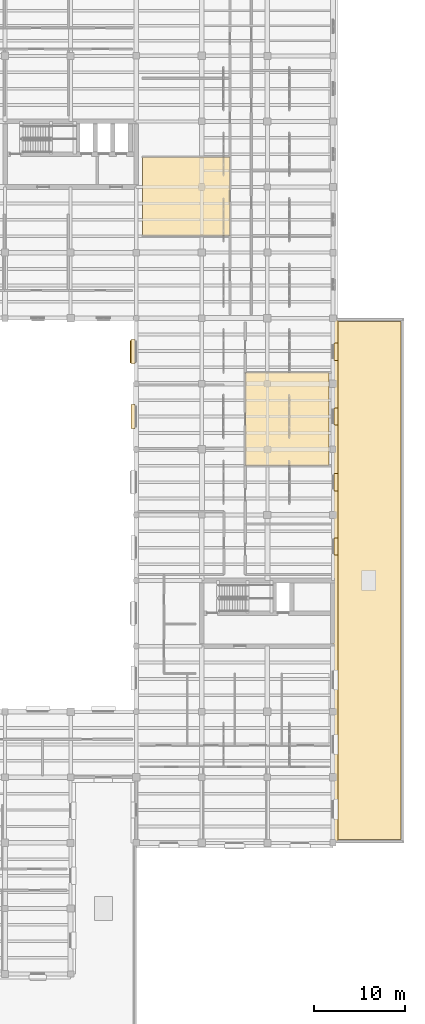
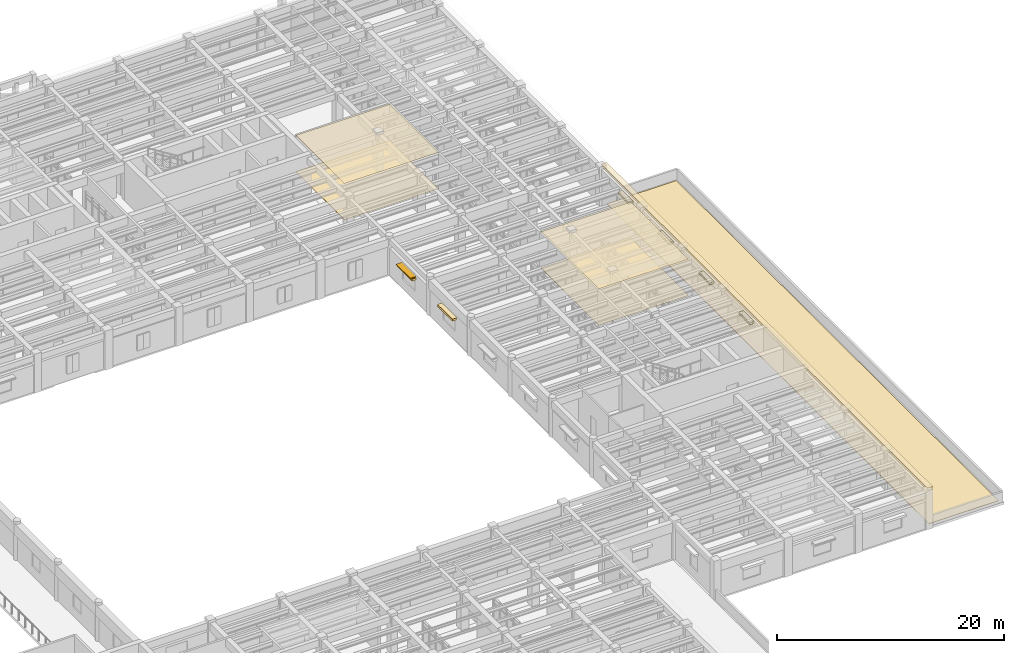
# One storey, part 74 of 76: 12 coverings, 1 shading device.
"""IFC4 building model written with IfcOpenShell, lengths in metres."""

from ifc_helpers import new_model, si_unit, direction, frame, origin, origin_2d, place, context, subcontext, project, spatial, polyline, rectangle, outline, extrude, material, layer, layer_set, type_object, element, save


model = new_model("IFC4")

# Units and contexts
model_context = context("Model", 3, precision=1e-05, world=origin(), true_north=direction((0.0, 1.0)))
body_context = subcontext(model_context, "Body", "Model", "MODEL_VIEW")
ifc_project = project(units=[si_unit("LENGTHUNIT", "METRE"), si_unit("AREAUNIT", "SQUARE_METRE"), si_unit("VOLUMEUNIT", "CUBIC_METRE"), si_unit("PLANEANGLEUNIT", "RADIAN"), si_unit("MASSUNIT", "GRAM", prefix="KILO")], contexts=[model_context])

# Site, building, storey
site_placement = place(None, origin())
site = spatial("IfcSite", under=ifc_project, at=site_placement, CompositionType="ELEMENT")
building_placement = place(site_placement, origin())
building = spatial("IfcBuilding", under=site, at=building_placement, Name="Mithqara Police Headquarters", CompositionType="ELEMENT")
storey_placement = place(building_placement, frame((0.0, 0.0, 5.39990234375)))
storey = spatial("IfcBuildingStorey", under=building, at=storey_placement, Name="L01", CompositionType="ELEMENT", Elevation=5.39990234375)

# Coverings
ifc_material_1 = material(Name="Acoustic mineral-fibre ceiling tile", Category="gypsum")
ifc_layer_1 = layer(ifc_material_1, 0.02490234375, Name="Acoustic mineral-fibre ceiling tile")
ifc_layer_set_1 = layer_set([ifc_layer_1], Name="Acoustic mineral-fibre ceiling tile")
covering_type_1 = type_object("IfcCoveringType", Name="ACOUSTIC CEILING TILE", PredefinedType="CEILING", material=ifc_layer_set_1)
covering_1_placement = place(storey_placement, frame((0.0, 0.0, 3.89501953125)))
element("IfcCovering", 1, at=covering_1_placement, inside=storey, type_object=covering_type_1, Name="Patrol Supervisors' Office Acoustic Ceiling", PredefinedType="CEILING", context=body_context, shape_type="SweptSolid", body=[
    extrude(outline(polyline([(145.27001953125, 87.679931640625), (154.875, 87.679931640625), (154.875, 96.280029296875), (145.27001953125, 96.280029296875), (145.27001953125, 87.679931640625)])), origin(), (0.0, 0.0, 1.0), 0.025146484375),
])
covering_2_placement = place(storey_placement, frame((0.0, 0.0, 3.89501953125)))
element("IfcCovering", 2, at=covering_2_placement, inside=storey, type_object=covering_type_1, Name="Questioned Documents Laboratory Acoustic Ceiling", PredefinedType="CEILING", context=body_context, shape_type="SweptSolid", body=[
    extrude(outline(polyline([(156.590087890625, 62.412109375), (165.760009765625, 62.412109375), (165.760009765625, 72.614013671875), (156.590087890625, 72.614013671875), (156.590087890625, 62.412109375)])), origin(), (0.0, 0.0, 1.0), 0.025146484375),
])
ifc_material_2 = material(Name="Limestone ashlar masonry, 45 MPa", Category="masonry")
ifc_layer_2 = layer(ifc_material_2, 0.320068359375, Name="Limestone ashlar masonry, 45 MPa")
ifc_layer_set_2 = layer_set([ifc_layer_2], Name="Limestone ashlar masonry, 45 MPa")
covering_type_2 = type_object("IfcCoveringType", Name="CORNICE LIMESTONE", PredefinedType="CLADDING", material=ifc_layer_set_2)
covering_3_placement = place(storey_placement, frame((166.47998046875, 49.800048828125, 3.919921875), z_axis=(0.0, 0.0, 1.0), x_axis=(0.0, 1.0, 0.0)))
element("IfcCovering", 3, at=covering_3_placement, inside=storey, type_object=covering_type_2, Name="L01 Projecting Ottoman Limestone Eaves Cornice 7", PredefinedType="CLADDING", context=body_context, shape_type="SweptSolid", body=[
    extrude(rectangle(XDim=57.60009765625, YDim=0.56005859375, at=origin_2d()), origin(), (0.0, 0.0, 1.0), 0.280029296875),
])

# Shading device
ifc_material_3 = material(Name="Bronze anodised aluminium 6063-T6", Category="aluminium")
shading_device_type = type_object("IfcShadingDeviceType", Name="SOLAR LOUVRE BRONZE", PredefinedType="JALOUSIE", material=ifc_material_3)
shading_device_placement = place(storey_placement, frame((144.199951171875, 74.925048828125, 2.590087890625), z_axis=(0.0, 0.0, 1.0), x_axis=(0.0, 1.0, 0.0)))
element("IfcShadingDevice", 4, at=shading_device_placement, inside=storey, type_object=shading_device_type, Name="L01 Window Solar Louvre Hood 4.6", PredefinedType="JALOUSIE", context=body_context, shape_type="SweptSolid", body=[
    extrude(rectangle(XDim=2.5, YDim=0.60009765625, at=origin_2d()), origin(), (0.0, 0.0, 1.0), 0.10009765625),
])

# Coverings
ifc_material_4 = material(Name="Standing seam zinc-aluminium roofing", Category="aluminium")
ifc_layer_3 = layer(ifc_material_4, 0.0400390625, Name="Standing seam zinc-aluminium roofing")
ifc_layer_set_3 = layer_set([ifc_layer_3], Name="Standing seam zinc-aluminium roofing")
covering_type_3 = type_object("IfcCoveringType", Name="STANDING SEAM ROOFING", PredefinedType="ROOFING", material=ifc_layer_set_3)
covering_4_placement = place(storey_placement, origin())
element("IfcCovering", 5, at=covering_4_placement, inside=storey, type_object=covering_type_3, Name="L01 Insulated Roof Waterproofing ROOF-L00-02", PredefinedType="ROOFING", context=body_context, shape_type="SweptSolid", body=[
    extrude(outline(polyline([(173.64990234375, 78.25), (173.64990234375, 21.35009765625), (166.570068359375, 21.35009765625), (166.570068359375, 78.25), (173.64990234375, 78.25)])), origin(), (0.0, 0.0, 1.0), 0.0400390625),
])
ifc_material_5 = material(Name="Polished limestone terrazzo flooring", Category="masonry")
ifc_layer_4 = layer(ifc_material_5, 0.02001953125, Name="Polished limestone terrazzo flooring")
ifc_layer_set_4 = layer_set([ifc_layer_4], Name="Polished limestone terrazzo flooring")
covering_type_4 = type_object("IfcCoveringType", Name="TERRAZZO FLOOR FINISH", PredefinedType="FLOORING", material=ifc_layer_set_4)
covering_5_placement = place(storey_placement, origin())
element("IfcCovering", 6, at=covering_5_placement, inside=storey, type_object=covering_type_4, Name="Patrol Supervisors' Office Terrazzo Floor Finish", PredefinedType="FLOORING", context=body_context, shape_type="SweptSolid", body=[
    extrude(outline(polyline([(145.27001953125, 87.679931640625), (154.875, 87.679931640625), (154.875, 96.280029296875), (145.27001953125, 96.280029296875), (145.27001953125, 87.679931640625)])), origin(), (0.0, 0.0, 1.0), 0.02001953125),
])
covering_6_placement = place(storey_placement, origin())
element("IfcCovering", 7, at=covering_6_placement, inside=storey, type_object=covering_type_4, Name="Questioned Documents Laboratory Terrazzo Floor Finish", PredefinedType="FLOORING", context=body_context, shape_type="SweptSolid", body=[
    extrude(outline(polyline([(156.590087890625, 62.412109375), (165.760009765625, 62.412109375), (165.760009765625, 72.614013671875), (156.590087890625, 72.614013671875), (156.590087890625, 62.412109375)])), origin(), (0.0, 0.0, 1.0), 0.02001953125),
])
ifc_layer_5 = layer(ifc_material_2, 0.239990234375, Name="Limestone ashlar masonry, 45 MPa")
ifc_layer_set_5 = layer_set([ifc_layer_5], Name="Limestone ashlar masonry, 45 MPa")
covering_type_5 = type_object("IfcCoveringType", Name="WINDOW HOOD LIMESTONE", PredefinedType="CLADDING", material=ifc_layer_set_5)
for number, where, z_axis, x_axis, name in (
    (8, (166.5400390625, 53.52490234375, 2.6201171875), (0.0, 0.0, 1.0), (0.0, 1.0, 0.0), "L01 Limestone Window Architrave Hood 7.1"),
    (9, (166.5400390625, 60.60009765625, 2.6201171875), (0.0, 0.0, 1.0), (0.0, 1.0, 0.0), "L01 Limestone Window Architrave Hood 7.2"),
    (10, (166.5400390625, 67.800048828125, 2.6201171875), (0.0, 0.0, 1.0), (0.0, 1.0, 0.0), "L01 Limestone Window Architrave Hood 7.3"),
    (11, (166.5400390625, 74.925048828125, 2.6201171875), (0.0, 0.0, 1.0), (0.0, 1.0, 0.0), "L01 Limestone Window Architrave Hood 7.4"),
):
    element("IfcCovering", number, at=place(storey_placement, frame(where, z_axis=z_axis, x_axis=x_axis)), inside=storey, type_object=covering_type_5, Name=name, PredefinedType="CLADDING", context=body_context, shape_type="SweptSolid", body=[
        extrude(rectangle(XDim=1.889892578125, YDim=0.4599609375, at=origin_2d()), origin(), (0.0, 0.0, 1.0), 0.219970703125),
    ])
for number, where, z_axis, x_axis, name in (
    (12, (144.260009765625, 67.800048828125, 2.3701171875), (0.0, 0.0, 1.0), (0.0, 1.0, 0.0), "L01 Limestone Window Architrave Hood 4.5"),
    (13, (144.260009765625, 74.925048828125, 2.3701171875), (0.0, 0.0, 1.0), (0.0, 1.0, 0.0), "L01 Limestone Window Architrave Hood 4.6"),
):
    element("IfcCovering", number, at=place(storey_placement, frame(where, z_axis=z_axis, x_axis=x_axis)), inside=storey, type_object=covering_type_5, Name=name, PredefinedType="CLADDING", context=body_context, shape_type="SweptSolid", body=[
        extrude(rectangle(XDim=2.639892578125, YDim=0.4599609375, at=origin_2d()), origin(), (0.0, 0.0, 1.0), 0.219970703125),
    ])

save(model, "model.ifc")
